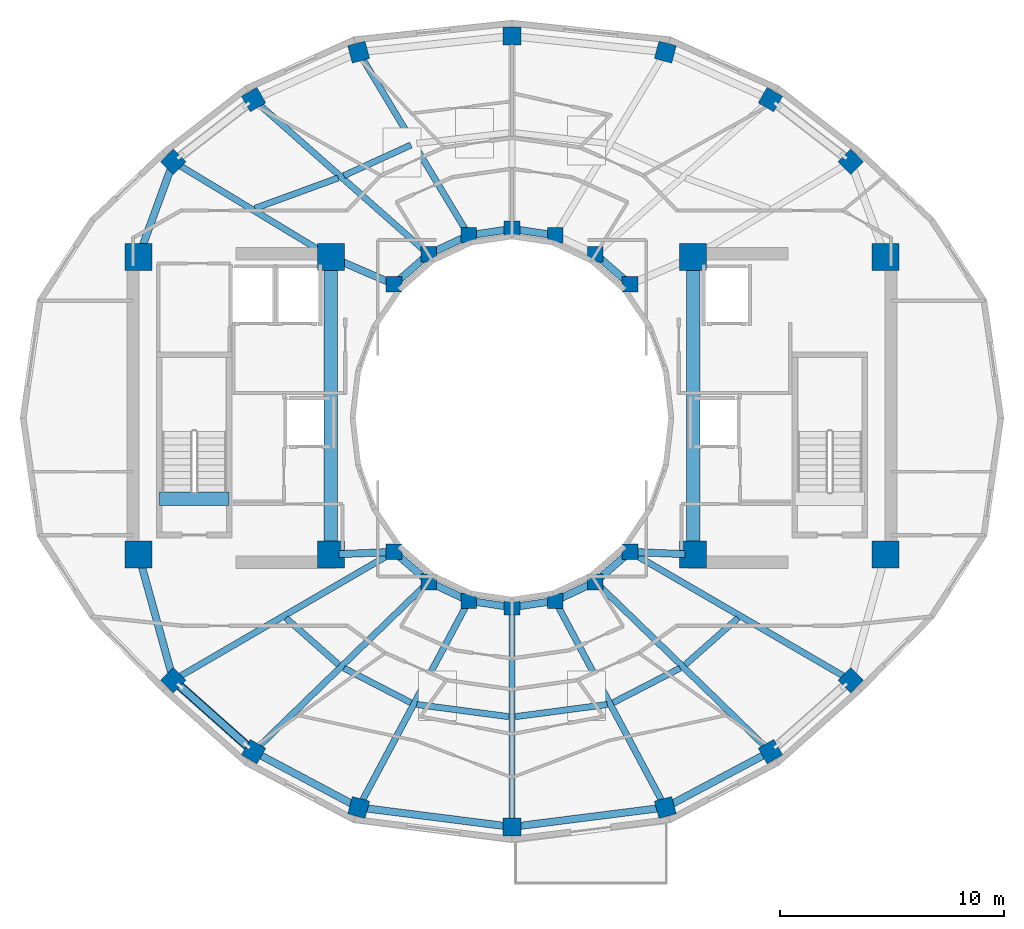
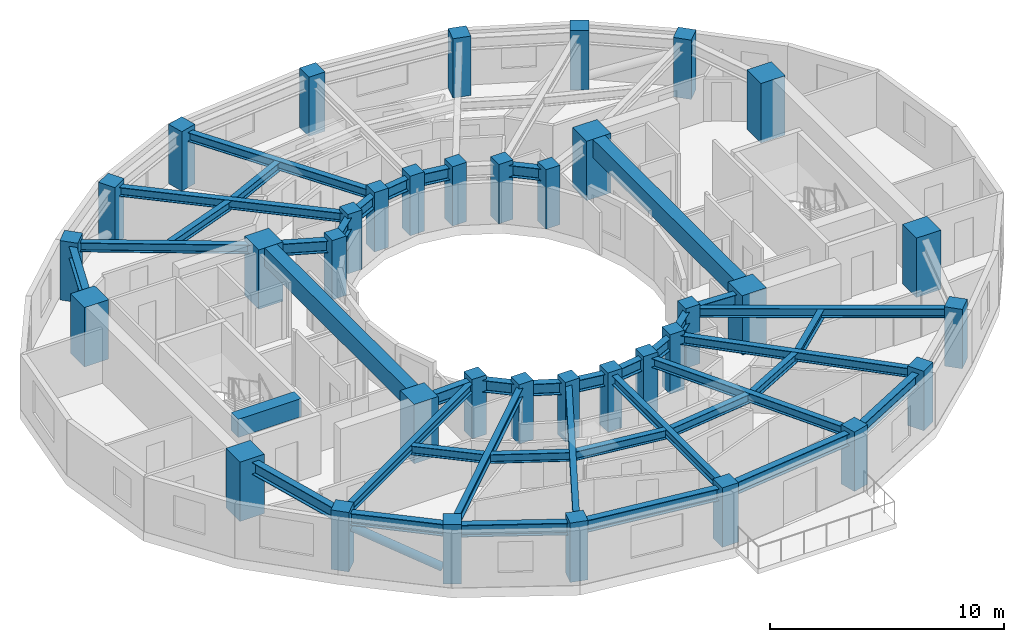
# One storey, part 1 of 9: 42 beams, 36 columns, 1 member.
"""IFC4 building model written with IfcOpenShell, lengths in metres."""

from ifc_helpers import new_model, si_unit, direction, frame, origin, origin_2d, place, context, subcontext, project, spatial, rectangle, hollow_circle, i_section, extrude, material, material_profile, profile_set, type_object, element, save


model = new_model("IFC4")

# Units and contexts
model_context = context("Model", 3, precision=1e-05, world=origin(), true_north=direction((0.0, 1.0)))
body_context = subcontext(model_context, "Body", "Model", "MODEL_VIEW")
ifc_project = project(units=[si_unit("LENGTHUNIT", "METRE"), si_unit("AREAUNIT", "SQUARE_METRE"), si_unit("VOLUMEUNIT", "CUBIC_METRE"), si_unit("PLANEANGLEUNIT", "RADIAN"), si_unit("MASSUNIT", "GRAM", prefix="KILO")], contexts=[model_context])

# Site, building, storey
site_placement = place(None, origin())
site = spatial("IfcSite", under=ifc_project, at=site_placement, CompositionType="ELEMENT")
building_placement = place(site_placement, origin())
building = spatial("IfcBuilding", under=site, at=building_placement, Name="Solvane Sanctuary Tower", CompositionType="ELEMENT")
storey_placement = place(building_placement, frame((0.0, 0.0, 220.199951171875)))
storey = spatial("IfcBuildingStorey", under=building, at=storey_placement, Name="L67", CompositionType="ELEMENT", Elevation=220.199951171875)

# Columns
ifc_material_1 = material(Name="Concrete C50/60", Category="concrete")
ifc_material_profile_1 = material_profile(ifc_material_1, rectangle(XDim=0.699951171875, YDim=0.699951171875, at=origin_2d()), Name="RC700X700")
ifc_profile_set_1 = profile_set([ifc_material_profile_1], Name="Concrete C50/60")
column_type_1 = type_object("IfcColumnType", Name="Column C-RING-Z4 RC700X700", PredefinedType="COLUMN", material=ifc_profile_set_1)
for number, where, z_axis, x_axis, name in (
    (1, (37.27490234375, 28.982177734375, 0.0), (0.0, 0.0, 1.0), (1.0, 0.0, 0.0), "L67 Inner Light-Well Ring Column IC01"),
    (2, (35.72998046875, 30.32666015625, 0.0), (0.0, 0.0, 1.0), (1.0, 0.0, 0.0), "L67 Inner Light-Well Ring Column IC02"),
    (3, (33.930908203125, 31.171630859375, 0.0), (0.0, 0.0, 1.0), (1.0, 0.0, 0.0), "L67 Inner Light-Well Ring Column IC03"),
    (4, (32.0, 31.4599609375, 0.0), (0.0, 0.0, 1.0), (1.0, 0.0, 0.0), "L67 Inner Light-Well Ring Column IC04"),
    (5, (30.069091796875, 31.171630859375, 0.0), (0.0, 0.0, 1.0), (1.0, 0.0, 0.0), "L67 Inner Light-Well Ring Column IC05"),
    (6, (28.27001953125, 30.32666015625, 0.0), (0.0, 0.0, 1.0), (1.0, 0.0, 0.0), "L67 Inner Light-Well Ring Column IC06"),
    (7, (26.72509765625, 28.982177734375, 0.0), (0.0, 0.0, 1.0), (1.0, 0.0, 0.0), "L67 Inner Light-Well Ring Column IC07"),
    (8, (26.72509765625, 17.017822265625, 0.0), (0.0, 0.0, 1.0), (1.0, 0.0, 0.0), "L67 Inner Light-Well Ring Column IC08"),
    (9, (28.27001953125, 15.67333984375, 0.0), (0.0, 0.0, 1.0), (1.0, 0.0, 0.0), "L67 Inner Light-Well Ring Column IC09"),
    (10, (30.069091796875, 14.828369140625, 0.0), (0.0, 0.0, 1.0), (1.0, 0.0, 0.0), "L67 Inner Light-Well Ring Column IC10"),
    (11, (32.0, 14.5400390625, 0.0), (0.0, 0.0, 1.0), (1.0, 0.0, 0.0), "L67 Inner Light-Well Ring Column IC11"),
    (12, (33.930908203125, 14.828369140625, 0.0), (0.0, 0.0, 1.0), (1.0, 0.0, 0.0), "L67 Inner Light-Well Ring Column IC12"),
    (13, (35.72998046875, 15.67333984375, 0.0), (0.0, 0.0, 1.0), (1.0, 0.0, 0.0), "L67 Inner Light-Well Ring Column IC13"),
    (14, (37.27490234375, 17.017822265625, 0.0), (0.0, 0.0, 1.0), (1.0, 0.0, 0.0), "L67 Inner Light-Well Ring Column IC14"),
):
    element("IfcColumn", number, at=place(storey_placement, frame(where, z_axis=z_axis, x_axis=x_axis)), inside=storey, type_object=column_type_1, Name=name, PredefinedType="COLUMN", context=body_context, shape_type="SweptSolid", body=[
        extrude(rectangle(XDim=0.699951171875, YDim=0.699951171875, at=origin_2d()), origin(), (0.0, 0.0, 1.0), 3.10009765625),
    ])
ifc_material_2 = material(Name="Concrete C70/85", Category="concrete")
ifc_material_profile_2 = material_profile(ifc_material_2, rectangle(XDim=1.199951171875, YDim=1.199951171875, at=origin_2d()), Name="RC1200X1200")
ifc_profile_set_2 = profile_set([ifc_material_profile_2], Name="Concrete C70/85")
column_type_2 = type_object("IfcColumnType", Name="Column C-TUBE-Z1 RC1200X1200", PredefinedType="COLUMN", material=ifc_profile_set_2)
for number, where, z_axis, x_axis, name in (
    (15, (15.300048828125, 16.89990234375, 0.0), (0.0, 0.0, 1.0), (1.0, 0.0, 0.0), "L67 Core Corner Column CW1"),
    (16, (23.89990234375, 16.89990234375, 0.0), (0.0, 0.0, 1.0), (1.0, 0.0, 0.0), "L67 Core Corner Column CW2"),
    (17, (23.89990234375, 30.199951171875, 0.0), (0.0, 0.0, 1.0), (1.0, 0.0, 0.0), "L67 Core Corner Column CW3"),
    (18, (15.300048828125, 30.199951171875, 0.0), (0.0, 0.0, 1.0), (1.0, 0.0, 0.0), "L67 Core Corner Column CW4"),
    (19, (40.10009765625, 16.89990234375, 0.0), (0.0, 0.0, 1.0), (1.0, 0.0, 0.0), "L67 Core Corner Column CE1"),
    (20, (48.699951171875, 16.89990234375, 0.0), (0.0, 0.0, 1.0), (1.0, 0.0, 0.0), "L67 Core Corner Column CE2"),
    (21, (48.699951171875, 30.199951171875, 0.0), (0.0, 0.0, 1.0), (1.0, 0.0, 0.0), "L67 Core Corner Column CE3"),
    (22, (40.10009765625, 30.199951171875, 0.0), (0.0, 0.0, 1.0), (1.0, 0.0, 0.0), "L67 Core Corner Column CE4"),
):
    element("IfcColumn", number, at=place(storey_placement, frame(where, z_axis=z_axis, x_axis=x_axis)), inside=storey, type_object=column_type_2, Name=name, PredefinedType="COLUMN", context=body_context, shape_type="SweptSolid", body=[
        extrude(rectangle(XDim=1.199951171875, YDim=1.199951171875, at=origin_2d()), origin(), (0.0, 0.0, 1.0), 3.10009765625),
    ])
ifc_material_profile_3 = material_profile(ifc_material_1, rectangle(XDim=0.800048828125, YDim=0.800048828125, at=origin_2d()), Name="RC800X800")
ifc_profile_set_3 = profile_set([ifc_material_profile_3], Name="Concrete C50/60")
column_type_3 = type_object("IfcColumnType", Name="Column C-TUBE-Z4 RC800X800", PredefinedType="COLUMN", material=ifc_profile_set_3)
for number, where, z_axis, x_axis, name in (
    (23, (47.14501953125, 34.461669921875, 0.0), (0.0, 0.0, 1.0), (0.707106781187, 0.707106781187, 0.0), "L67 Perimeter Tube Column TC01"),
    (24, (43.55517578125, 37.241455078125, 0.0), (0.0, 0.0, 1.0), (0.5, 0.866025403784, 0.0), "L67 Perimeter Tube Column TC02"),
    (25, (38.856201171875, 39.3623046875, 0.0), (0.0, 0.0, 1.0), (0.258819045103, 0.965925826289, 0.0), "L67 Perimeter Tube Column TC03"),
    (26, (32.0, 40.080078125, 0.0), (0.0, 0.0, 1.0), (0.0, 1.0, 0.0), "L67 Perimeter Tube Column TC04"),
    (27, (25.143798828125, 39.3623046875, 0.0), (0.0, 0.0, 1.0), (-0.258819045103, 0.965925826289, 0.0), "L67 Perimeter Tube Column TC05"),
    (28, (20.44482421875, 37.241455078125, 0.0), (0.0, 0.0, 1.0), (-0.5, 0.866025403784, 0.0), "L67 Perimeter Tube Column TC06"),
    (29, (16.85498046875, 34.461669921875, 0.0), (0.0, 0.0, 1.0), (-0.707106781187, 0.707106781187, 0.0), "L67 Perimeter Tube Column TC07"),
    (30, (16.85498046875, 11.279052734375, 0.0), (0.0, 0.0, 1.0), (-0.707106781187, -0.707106781187, 0.0), "L67 Perimeter Tube Column TC08"),
    (31, (20.44482421875, 8.086181640625, 0.0), (0.0, 0.0, 1.0), (-0.5, -0.866025403784, 0.0), "L67 Perimeter Tube Column TC09"),
    (32, (25.143798828125, 5.588623046875, 0.0), (0.0, 0.0, 1.0), (-0.258819045103, -0.965925826289, 0.0), "L67 Perimeter Tube Column TC10"),
    (33, (32.0, 4.719970703125, 0.0), (0.0, 0.0, 1.0), (0.0, -1.0, 0.0), "L67 Perimeter Tube Column TC11"),
    (34, (38.856201171875, 5.588623046875, 0.0), (0.0, 0.0, 1.0), (0.258819045103, -0.965925826289, 0.0), "L67 Perimeter Tube Column TC12"),
    (35, (43.55517578125, 8.086181640625, 0.0), (0.0, 0.0, 1.0), (0.5, -0.866025403784, 0.0), "L67 Perimeter Tube Column TC13"),
    (36, (47.14501953125, 11.279052734375, 0.0), (0.0, 0.0, 1.0), (0.707106781187, -0.707106781187, 0.0), "L67 Perimeter Tube Column TC14"),
):
    element("IfcColumn", number, at=place(storey_placement, frame(where, z_axis=z_axis, x_axis=x_axis)), inside=storey, type_object=column_type_3, Name=name, PredefinedType="COLUMN", context=body_context, shape_type="SweptSolid", body=[
        extrude(rectangle(XDim=0.800048828125, YDim=0.800048828125, at=origin_2d()), origin(), (0.0, 0.0, 1.0), 3.10009765625),
    ])

# Beams
ifc_material_profile_4 = material_profile(ifc_material_2, rectangle(XDim=0.60009765625, YDim=0.949951171875, at=origin_2d()), Name="RC600X950")
ifc_profile_set_4 = profile_set([ifc_material_profile_4], Name="Concrete C70/85")
beam_type_1 = type_object("IfcBeamType", Name="Beam B-COUPLE RC600X950", PredefinedType="LINTEL", material=ifc_profile_set_4)
for number, where, z_axis, x_axis, name in (
    (37, (23.89990234375, 17.35009765625, 2.625), (0.0, 1.0, 0.0), (-1.0, 0.0, 0.0), "L67 West Core Coupling Lintel"),
    (38, (40.10009765625, 17.35009765625, 2.625), (0.0, 1.0, 0.0), (-1.0, 0.0, 0.0), "L67 East Core Coupling Lintel"),
):
    element("IfcBeam", number, at=place(storey_placement, frame(where, z_axis=z_axis, x_axis=x_axis)), inside=storey, type_object=beam_type_1, Name=name, PredefinedType="LINTEL", context=body_context, shape_type="SweptSolid", body=[
        extrude(rectangle(XDim=0.60009765625, YDim=0.949951171875, at=origin_2d()), origin(), (0.0, 0.0, 1.0), 12.39990234375),
    ])
beam_1_placement = place(storey_placement, frame((16.22998046875, 19.399169921875, 2.625), z_axis=(1.0, 0.0, 0.0), x_axis=(0.0, 1.0, 0.0)))
element("IfcBeam", 39, at=beam_1_placement, inside=storey, type_object=beam_type_1, Name="L67 ST-1 Stair Floor Landing Trimmer", PredefinedType="LINTEL", context=body_context, shape_type="SweptSolid", body=[
    extrude(rectangle(XDim=0.60009765625, YDim=0.949951171875, at=origin_2d()), origin(), (0.0, 0.0, 1.0), 3.1201171875),
])
ifc_material_3 = material(Name="Steel ASTM A992 Grade 50", Category="steel")
ifc_material_profile_5 = material_profile(ifc_material_3, i_section(OverallWidth=0.282958984375, OverallDepth=0.471923828125, WebThickness=0.013671875, FlangeThickness=0.022216796875, FilletRadius=0.013916015625, at=origin_2d()), Name="W18X97")
ifc_profile_set_5 = profile_set([ifc_material_profile_5], Name="Steel ASTM A992 Grade 50")
beam_type_2 = type_object("IfcBeamType", Name="Beam B-RAD-Z4 W18X97", PredefinedType="JOIST", material=ifc_profile_set_5)
beam_2_placement = place(storey_placement, frame((29.9248046875, 31.41162109375, 2.64208984375), z_axis=(-0.515337473432, 0.85698733274, 0.0), x_axis=(-0.85698733274, -0.515337473432, 0.0)))
element("IfcBeam", 40, at=beam_2_placement, inside=storey, type_object=beam_type_2, Name="L67 Radial Composite Floor Beam 05", PredefinedType="JOIST", context=body_context, shape_type="SweptSolid", body=[
    extrude(i_section(OverallWidth=0.282958984375, OverallDepth=0.471923828125, WebThickness=0.013671875, FlangeThickness=0.022216796875, FilletRadius=0.013916015625, at=origin_2d()), origin(), (0.0, 0.0, 1.0), 8.99755859375),
])
beam_3_placement = place(storey_placement, frame((28.060302734375, 30.511962890625, 2.64208984375), z_axis=(-0.749352461353, 0.662171343886, 0.0), x_axis=(-0.662171343886, -0.749352461353, 0.0)))
element("IfcBeam", 41, at=beam_3_placement, inside=storey, type_object=beam_type_2, Name="L67 Radial Composite Floor Beam 06", PredefinedType="JOIST", context=body_context, shape_type="SweptSolid", body=[
    extrude(i_section(OverallWidth=0.282958984375, OverallDepth=0.471923828125, WebThickness=0.013671875, FlangeThickness=0.022216796875, FilletRadius=0.013916015625, at=origin_2d()), origin(), (0.0, 0.0, 1.0), 9.882568359375),
])
beam_4_placement = place(storey_placement, frame((23.592041015625, 30.38623046875, 2.64208984375), z_axis=(-0.855612120123, 0.517617522789, 0.0), x_axis=(-0.517617522789, -0.855612120123, 0.0)))
element("IfcBeam", 42, at=beam_4_placement, inside=storey, type_object=beam_type_2, Name="L67 Radial Composite Floor Beam 07", PredefinedType="JOIST", context=body_context, shape_type="SweptSolid", body=[
    extrude(i_section(OverallWidth=0.282958984375, OverallDepth=0.471923828125, WebThickness=0.013671875, FlangeThickness=0.022216796875, FilletRadius=0.013916015625, at=origin_2d()), origin(), (0.0, 0.0, 1.0), 7.59375),
])
beam_5_placement = place(storey_placement, frame((26.48291015625, 16.877197265625, 2.64208984375), z_axis=(-0.864489234729, -0.502651333469, 0.0), x_axis=(0.502651333469, -0.864489234729, 0.0)))
element("IfcBeam", 43, at=beam_5_placement, inside=storey, type_object=beam_type_2, Name="L67 Radial Composite Floor Beam 08", PredefinedType="JOIST", context=body_context, shape_type="SweptSolid", body=[
    extrude(i_section(OverallWidth=0.282958984375, OverallDepth=0.471923828125, WebThickness=0.013671875, FlangeThickness=0.022216796875, FilletRadius=0.013916015625, at=origin_2d()), origin(), (0.0, 0.0, 1.0), 10.85693359375),
])
beam_6_placement = place(storey_placement, frame((28.069091796875, 15.478515625, 2.64208984375), z_axis=(-0.717931503288, -0.69611375262, 0.0), x_axis=(0.69611375262, -0.717931503288, 0.0)))
element("IfcBeam", 44, at=beam_6_placement, inside=storey, type_object=beam_type_2, Name="L67 Radial Composite Floor Beam 09", PredefinedType="JOIST", context=body_context, shape_type="SweptSolid", body=[
    extrude(i_section(OverallWidth=0.282958984375, OverallDepth=0.471923828125, WebThickness=0.013671875, FlangeThickness=0.022216796875, FilletRadius=0.013916015625, at=origin_2d()), origin(), (0.0, 0.0, 1.0), 10.339599609375),
])
beam_7_placement = place(storey_placement, frame((29.9375, 14.581298828125, 2.64208984375), z_axis=(-0.470395154587, -0.882455890422, 0.0), x_axis=(0.882455890422, -0.470395154587, 0.0)))
element("IfcBeam", 45, at=beam_7_placement, inside=storey, type_object=beam_type_2, Name="L67 Radial Composite Floor Beam 10", PredefinedType="JOIST", context=body_context, shape_type="SweptSolid", body=[
    extrude(i_section(OverallWidth=0.282958984375, OverallDepth=0.471923828125, WebThickness=0.013671875, FlangeThickness=0.022216796875, FilletRadius=0.013916015625, at=origin_2d()), origin(), (0.0, 0.0, 1.0), 9.91064453125),
])
beam_8_placement = place(storey_placement, frame((32.0, 14.260009765625, 2.64208984375), z_axis=(0.0, -1.0, 0.0), x_axis=(1.0, 0.0, 0.0)))
element("IfcBeam", 46, at=beam_8_placement, inside=storey, type_object=beam_type_2, Name="L67 Radial Composite Floor Beam 11", PredefinedType="JOIST", context=body_context, shape_type="SweptSolid", body=[
    extrude(i_section(OverallWidth=0.282958984375, OverallDepth=0.471923828125, WebThickness=0.013671875, FlangeThickness=0.022216796875, FilletRadius=0.013916015625, at=origin_2d()), origin(), (0.0, 0.0, 1.0), 9.260009765625),
])
beam_9_placement = place(storey_placement, frame((34.0625, 14.581298828125, 2.64208984375), z_axis=(0.470395154587, -0.882455890422, 0.0), x_axis=(0.882455890422, 0.470395154587, 0.0)))
element("IfcBeam", 47, at=beam_9_placement, inside=storey, type_object=beam_type_2, Name="L67 Radial Composite Floor Beam 12", PredefinedType="JOIST", context=body_context, shape_type="SweptSolid", body=[
    extrude(i_section(OverallWidth=0.282958984375, OverallDepth=0.471923828125, WebThickness=0.013671875, FlangeThickness=0.022216796875, FilletRadius=0.013916015625, at=origin_2d()), origin(), (0.0, 0.0, 1.0), 9.91064453125),
])
beam_10_placement = place(storey_placement, frame((35.930908203125, 15.478515625, 2.64208984375), z_axis=(0.717931503288, -0.69611375262, 0.0), x_axis=(0.69611375262, 0.717931503288, 0.0)))
element("IfcBeam", 48, at=beam_10_placement, inside=storey, type_object=beam_type_2, Name="L67 Radial Composite Floor Beam 13", PredefinedType="JOIST", context=body_context, shape_type="SweptSolid", body=[
    extrude(i_section(OverallWidth=0.282958984375, OverallDepth=0.471923828125, WebThickness=0.013671875, FlangeThickness=0.022216796875, FilletRadius=0.013916015625, at=origin_2d()), origin(), (0.0, 0.0, 1.0), 10.339599609375),
])
beam_11_placement = place(storey_placement, frame((37.51708984375, 16.877197265625, 2.64208984375), z_axis=(0.864489234729, -0.502651333469, 0.0), x_axis=(0.502651333469, 0.864489234729, 0.0)))
element("IfcBeam", 49, at=beam_11_placement, inside=storey, type_object=beam_type_2, Name="L67 Radial Composite Floor Beam 14", PredefinedType="JOIST", context=body_context, shape_type="SweptSolid", body=[
    extrude(i_section(OverallWidth=0.282958984375, OverallDepth=0.471923828125, WebThickness=0.013671875, FlangeThickness=0.022216796875, FilletRadius=0.013916015625, at=origin_2d()), origin(), (0.0, 0.0, 1.0), 10.85693359375),
])
ifc_material_profile_6 = material_profile(ifc_material_3, i_section(OverallWidth=0.324951171875, OverallDepth=0.615966796875, WebThickness=0.013916015625, FlangeThickness=0.021484375, FilletRadius=0.01611328125, at=origin_2d()), Name="W24X117")
ifc_profile_set_6 = profile_set([ifc_material_profile_6], Name="Steel ASTM A992 Grade 50")
beam_type_3 = type_object("IfcBeamType", Name="Beam B-RING-IN2 W24X117", PredefinedType="BEAM", material=ifc_profile_set_6)
beam_12_placement = place(storey_placement, frame((24.230712890625, 30.0576171875, 2.570068359375), z_axis=(0.918283854026, -0.395922673554, 0.0), x_axis=(0.395922673554, 0.918283854026, 0.0)))
element("IfcBeam", 50, at=beam_12_placement, inside=storey, type_object=beam_type_3, Name="L67 Inner Light-Well Ring Beam CW3-IC07", PredefinedType="BEAM", context=body_context, shape_type="SweptSolid", body=[
    extrude(i_section(OverallWidth=0.324951171875, OverallDepth=0.615966796875, WebThickness=0.013916015625, FlangeThickness=0.021484375, FilletRadius=0.01611328125, at=origin_2d()), origin(), (0.0, 0.0, 1.0), 2.396240234375),
])
beam_13_placement = place(storey_placement, frame((26.96630859375, 29.192138671875, 2.570068359375), z_axis=(0.754388985763, 0.656427648839, 0.0), x_axis=(-0.656427648839, 0.754388985763, 0.0)))
element("IfcBeam", 51, at=beam_13_placement, inside=storey, type_object=beam_type_3, Name="L67 Inner Light-Well Ring Beam IC07-IC06", PredefinedType="BEAM", context=body_context, shape_type="SweptSolid", body=[
    extrude(i_section(OverallWidth=0.324951171875, OverallDepth=0.615966796875, WebThickness=0.013916015625, FlangeThickness=0.021484375, FilletRadius=0.01611328125, at=origin_2d()), origin(), (0.0, 0.0, 1.0), 1.408203125),
])
beam_14_placement = place(storey_placement, frame((28.5595703125, 30.462646484375, 2.570068359375), z_axis=(0.905134542189, 0.425125229241, 0.0), x_axis=(-0.425125229241, 0.905134542189, 0.0)))
element("IfcBeam", 52, at=beam_14_placement, inside=storey, type_object=beam_type_3, Name="L67 Inner Light-Well Ring Beam IC06-IC05", PredefinedType="BEAM", context=body_context, shape_type="SweptSolid", body=[
    extrude(i_section(OverallWidth=0.324951171875, OverallDepth=0.615966796875, WebThickness=0.013916015625, FlangeThickness=0.021484375, FilletRadius=0.01611328125, at=origin_2d()), origin(), (0.0, 0.0, 1.0), 1.347900390625),
])
for number, where, z_axis, x_axis, name in (
    (53, (30.3857421875, 31.218994140625, 2.570068359375), (0.989056121481, 0.147539786368, 0.0), (-0.147539786368, 0.989056121481, 0.0), "L67 Inner Light-Well Ring Beam IC05-IC04"),
    (54, (32.31640625, 31.41259765625, 2.570068359375), (0.989056121481, -0.147539786368, 0.0), (0.147539786368, 0.989056121481, 0.0), "L67 Inner Light-Well Ring Beam IC04-IC03"),
):
    element("IfcBeam", number, at=place(storey_placement, frame(where, z_axis=z_axis, x_axis=x_axis)), inside=storey, type_object=beam_type_3, Name=name, PredefinedType="BEAM", context=body_context, shape_type="SweptSolid", body=[
        extrude(i_section(OverallWidth=0.324951171875, OverallDepth=0.615966796875, WebThickness=0.013916015625, FlangeThickness=0.021484375, FilletRadius=0.01611328125, at=origin_2d()), origin(), (0.0, 0.0, 1.0), 1.312255859375),
    ])
beam_15_placement = place(storey_placement, frame((35.971435546875, 30.116455078125, 2.570068359375), z_axis=(0.754388985763, -0.656427648839, 0.0), x_axis=(0.656427648839, 0.754388985763, 0.0)))
element("IfcBeam", 55, at=beam_15_placement, inside=storey, type_object=beam_type_3, Name="L67 Inner Light-Well Ring Beam IC02-IC01", PredefinedType="BEAM", context=body_context, shape_type="SweptSolid", body=[
    extrude(i_section(OverallWidth=0.324951171875, OverallDepth=0.615966796875, WebThickness=0.013916015625, FlangeThickness=0.021484375, FilletRadius=0.01611328125, at=origin_2d()), origin(), (0.0, 0.0, 1.0), 1.408203125),
])
beam_16_placement = place(storey_placement, frame((24.259765625, 16.9150390625, 2.570068359375), z_axis=(0.999129127803, 0.041725124022, 0.0), x_axis=(-0.041725124022, 0.999129127803, 0.0)))
element("IfcBeam", 56, at=beam_16_placement, inside=storey, type_object=beam_type_3, Name="L67 Inner Light-Well Ring Beam CW2-IC08", PredefinedType="BEAM", context=body_context, shape_type="SweptSolid", body=[
    extrude(i_section(OverallWidth=0.324951171875, OverallDepth=0.615966796875, WebThickness=0.013916015625, FlangeThickness=0.021484375, FilletRadius=0.01611328125, at=origin_2d()), origin(), (0.0, 0.0, 1.0), 2.1474609375),
])
beam_17_placement = place(storey_placement, frame((26.96630859375, 16.807861328125, 2.570068359375), z_axis=(0.754388985763, -0.656427648839, 0.0), x_axis=(0.656427648839, 0.754388985763, 0.0)))
element("IfcBeam", 57, at=beam_17_placement, inside=storey, type_object=beam_type_3, Name="L67 Inner Light-Well Ring Beam IC08-IC09", PredefinedType="BEAM", context=body_context, shape_type="SweptSolid", body=[
    extrude(i_section(OverallWidth=0.324951171875, OverallDepth=0.615966796875, WebThickness=0.013916015625, FlangeThickness=0.021484375, FilletRadius=0.01611328125, at=origin_2d()), origin(), (0.0, 0.0, 1.0), 1.408203125),
])
beam_18_placement = place(storey_placement, frame((28.5595703125, 15.537353515625, 2.570068359375), z_axis=(0.905134542189, -0.425125229241, 0.0), x_axis=(0.425125229241, 0.905134542189, 0.0)))
element("IfcBeam", 58, at=beam_18_placement, inside=storey, type_object=beam_type_3, Name="L67 Inner Light-Well Ring Beam IC09-IC10", PredefinedType="BEAM", context=body_context, shape_type="SweptSolid", body=[
    extrude(i_section(OverallWidth=0.324951171875, OverallDepth=0.615966796875, WebThickness=0.013916015625, FlangeThickness=0.021484375, FilletRadius=0.01611328125, at=origin_2d()), origin(), (0.0, 0.0, 1.0), 1.347900390625),
])
for number, where, z_axis, x_axis, name in (
    (59, (30.3857421875, 14.781005859375, 2.570068359375), (0.989056121481, -0.147539786368, 0.0), (0.147539786368, 0.989056121481, 0.0), "L67 Inner Light-Well Ring Beam IC10-IC11"),
    (60, (32.31640625, 14.58740234375, 2.570068359375), (0.989056121481, 0.147539786368, 0.0), (-0.147539786368, 0.989056121481, 0.0), "L67 Inner Light-Well Ring Beam IC11-IC12"),
):
    element("IfcBeam", number, at=place(storey_placement, frame(where, z_axis=z_axis, x_axis=x_axis)), inside=storey, type_object=beam_type_3, Name=name, PredefinedType="BEAM", context=body_context, shape_type="SweptSolid", body=[
        extrude(i_section(OverallWidth=0.324951171875, OverallDepth=0.615966796875, WebThickness=0.013916015625, FlangeThickness=0.021484375, FilletRadius=0.01611328125, at=origin_2d()), origin(), (0.0, 0.0, 1.0), 1.312255859375),
    ])
beam_19_placement = place(storey_placement, frame((34.220458984375, 14.96435546875, 2.570068359375), z_axis=(0.905134542189, 0.425125229241, 0.0), x_axis=(-0.425125229241, 0.905134542189, 0.0)))
element("IfcBeam", 61, at=beam_19_placement, inside=storey, type_object=beam_type_3, Name="L67 Inner Light-Well Ring Beam IC12-IC13", PredefinedType="BEAM", context=body_context, shape_type="SweptSolid", body=[
    extrude(i_section(OverallWidth=0.324951171875, OverallDepth=0.615966796875, WebThickness=0.013916015625, FlangeThickness=0.021484375, FilletRadius=0.01611328125, at=origin_2d()), origin(), (0.0, 0.0, 1.0), 1.347900390625),
])
beam_20_placement = place(storey_placement, frame((35.971435546875, 15.883544921875, 2.570068359375), z_axis=(0.754388985763, 0.656427648839, 0.0), x_axis=(-0.656427648839, 0.754388985763, 0.0)))
element("IfcBeam", 62, at=beam_20_placement, inside=storey, type_object=beam_type_3, Name="L67 Inner Light-Well Ring Beam IC13-IC14", PredefinedType="BEAM", context=body_context, shape_type="SweptSolid", body=[
    extrude(i_section(OverallWidth=0.324951171875, OverallDepth=0.615966796875, WebThickness=0.013916015625, FlangeThickness=0.021484375, FilletRadius=0.01611328125, at=origin_2d()), origin(), (0.0, 0.0, 1.0), 1.408203125),
])
beam_21_placement = place(storey_placement, frame((37.5947265625, 17.004638671875, 2.570068359375), z_axis=(0.999129127803, -0.041725124022, 0.0), x_axis=(0.041725124022, 0.999129127803, 0.0)))
element("IfcBeam", 63, at=beam_21_placement, inside=storey, type_object=beam_type_3, Name="L67 Inner Light-Well Ring Beam IC14-CE1", PredefinedType="BEAM", context=body_context, shape_type="SweptSolid", body=[
    extrude(i_section(OverallWidth=0.324951171875, OverallDepth=0.615966796875, WebThickness=0.013916015625, FlangeThickness=0.021484375, FilletRadius=0.01611328125, at=origin_2d()), origin(), (0.0, 0.0, 1.0), 2.1474609375),
])
ifc_material_profile_7 = material_profile(ifc_material_3, i_section(OverallWidth=0.280029296875, OverallDepth=0.462890625, WebThickness=0.0107421875, FlangeThickness=0.017333984375, FilletRadius=0.013916015625, at=origin_2d()), Name="W18X76")
ifc_profile_set_7 = profile_set([ifc_material_profile_7], Name="Steel ASTM A992 Grade 50")
beam_type_4 = type_object("IfcBeamType", Name="Beam B-SEC-JOIST W18X76", PredefinedType="JOIST", material=ifc_profile_set_7)
beam_22_placement = place(storey_placement, frame((20.505615234375, 32.377685546875, 2.646484375), z_axis=(0.939341257695, 0.342983966962, 0.0), x_axis=(-0.342983966962, 0.939341257695, 0.0)))
element("IfcBeam", 64, at=beam_22_placement, inside=storey, type_object=beam_type_4, Name="L67 Secondary Circumferential Joist 07-06", PredefinedType="JOIST", context=body_context, shape_type="SweptSolid", body=[
    extrude(i_section(OverallWidth=0.280029296875, OverallDepth=0.462890625, WebThickness=0.0107421875, FlangeThickness=0.017333984375, FilletRadius=0.013916015625, at=origin_2d()), origin(), (0.0, 0.0, 1.0), 3.964111328125),
])
beam_23_placement = place(storey_placement, frame((24.481689453125, 33.8408203125, 2.646484375), z_axis=(0.909746959611, 0.415163184156, 0.0), x_axis=(-0.415163184156, 0.909746959611, 0.0)))
element("IfcBeam", 65, at=beam_23_placement, inside=storey, type_object=beam_type_4, Name="L67 Secondary Circumferential Joist 06-05", PredefinedType="JOIST", context=body_context, shape_type="SweptSolid", body=[
    extrude(i_section(OverallWidth=0.280029296875, OverallDepth=0.462890625, WebThickness=0.0107421875, FlangeThickness=0.017333984375, FilletRadius=0.013916015625, at=origin_2d()), origin(), (0.0, 0.0, 1.0), 3.29833984375),
])
beam_24_placement = place(storey_placement, frame((21.892333984375, 14.05810546875, 2.646484375), z_axis=(0.749354102876, -0.662169486236, 0.0), x_axis=(0.662169486236, 0.749354102876, 0.0)))
element("IfcBeam", 66, at=beam_24_placement, inside=storey, type_object=beam_type_4, Name="L67 Secondary Circumferential Joist 08-09", PredefinedType="JOIST", context=body_context, shape_type="SweptSolid", body=[
    extrude(i_section(OverallWidth=0.280029296875, OverallDepth=0.462890625, WebThickness=0.0107421875, FlangeThickness=0.017333984375, FilletRadius=0.013916015625, at=origin_2d()), origin(), (0.0, 0.0, 1.0), 3.153076171875),
])
beam_25_placement = place(storey_placement, frame((24.47900390625, 11.8173828125, 2.646484375), z_axis=(0.88924080122, -0.4574393921, 0.0), x_axis=(0.4574393921, 0.88924080122, 0.0)))
element("IfcBeam", 67, at=beam_25_placement, inside=storey, type_object=beam_type_4, Name="L67 Secondary Circumferential Joist 09-10", PredefinedType="JOIST", context=body_context, shape_type="SweptSolid", body=[
    extrude(i_section(OverallWidth=0.280029296875, OverallDepth=0.462890625, WebThickness=0.0107421875, FlangeThickness=0.017333984375, FilletRadius=0.013916015625, at=origin_2d()), origin(), (0.0, 0.0, 1.0), 3.380615234375),
])
for number, where, z_axis, x_axis, name in (
    (68, (27.74169921875, 10.190673828125, 2.646484375), (0.991439902559, -0.130563852634, 0.0), (0.130563852634, 0.991439902559, 0.0), "L67 Secondary Circumferential Joist 10-11"),
    (69, (32.13525390625, 9.647705078125, 2.646484375), (0.991439902559, 0.130563852634, 0.0), (-0.130563852634, 0.991439902559, 0.0), "L67 Secondary Circumferential Joist 11-12"),
):
    element("IfcBeam", number, at=place(storey_placement, frame(where, z_axis=z_axis, x_axis=x_axis)), inside=storey, type_object=beam_type_4, Name=name, PredefinedType="JOIST", context=body_context, shape_type="SweptSolid", body=[
        extrude(i_section(OverallWidth=0.280029296875, OverallDepth=0.462890625, WebThickness=0.0107421875, FlangeThickness=0.017333984375, FilletRadius=0.013916015625, at=origin_2d()), origin(), (0.0, 0.0, 1.0), 4.15869140625),
    ])
beam_26_placement = place(storey_placement, frame((36.514892578125, 10.27099609375, 2.646484375), z_axis=(0.88924080122, 0.4574393921, 0.0), x_axis=(-0.4574393921, 0.88924080122, 0.0)))
element("IfcBeam", 70, at=beam_26_placement, inside=storey, type_object=beam_type_4, Name="L67 Secondary Circumferential Joist 12-13", PredefinedType="JOIST", context=body_context, shape_type="SweptSolid", body=[
    extrude(i_section(OverallWidth=0.280029296875, OverallDepth=0.462890625, WebThickness=0.0107421875, FlangeThickness=0.017333984375, FilletRadius=0.013916015625, at=origin_2d()), origin(), (0.0, 0.0, 1.0), 3.380615234375),
])
beam_27_placement = place(storey_placement, frame((39.744873046875, 11.97021484375, 2.646484375), z_axis=(0.749354102876, 0.662169486236, 0.0), x_axis=(-0.662169486236, 0.749354102876, 0.0)))
element("IfcBeam", 71, at=beam_27_placement, inside=storey, type_object=beam_type_4, Name="L67 Secondary Circumferential Joist 13-14", PredefinedType="JOIST", context=body_context, shape_type="SweptSolid", body=[
    extrude(i_section(OverallWidth=0.280029296875, OverallDepth=0.462890625, WebThickness=0.0107421875, FlangeThickness=0.017333984375, FilletRadius=0.013916015625, at=origin_2d()), origin(), (0.0, 0.0, 1.0), 3.153076171875),
])
ifc_material_profile_8 = material_profile(ifc_material_3, i_section(OverallWidth=0.327880859375, OverallDepth=0.6279296875, WebThickness=0.0166015625, FlangeThickness=0.027587890625, FilletRadius=0.01611328125, at=origin_2d()), Name="W24X146")
ifc_profile_set_8 = profile_set([ifc_material_profile_8], Name="Steel ASTM A992 Grade 50")
beam_type_5 = type_object("IfcBeamType", Name="Beam B-SPAND-Z3 W24X146", PredefinedType="SPANDREL", material=ifc_profile_set_8)
beam_28_placement = place(storey_placement, frame((15.39599609375, 30.462890625, 2.56396484375), z_axis=(0.34275337431, 0.939425422478, 0.0), x_axis=(-0.939425422478, 0.34275337431, 0.0)))
element("IfcBeam", 72, at=beam_28_placement, inside=storey, type_object=beam_type_5, Name="L67 Perimeter Spandrel Beam CW4-TC07", PredefinedType="SPANDREL", context=body_context, shape_type="SweptSolid", body=[
    extrude(i_section(OverallWidth=0.327880859375, OverallDepth=0.6279296875, WebThickness=0.0166015625, FlangeThickness=0.027587890625, FilletRadius=0.01611328125, at=origin_2d()), origin(), (0.0, 0.0, 1.0), 3.976806640625),
])
beam_29_placement = place(storey_placement, frame((15.374755859375, 16.630126953125, 2.56396484375), z_axis=(0.266650123869, -0.963793396658, 0.0), x_axis=(0.963793396658, 0.266650123869, 0.0)))
element("IfcBeam", 73, at=beam_29_placement, inside=storey, type_object=beam_type_5, Name="L67 Perimeter Spandrel Beam CW1-TC08", PredefinedType="SPANDREL", context=body_context, shape_type="SweptSolid", body=[
    extrude(i_section(OverallWidth=0.327880859375, OverallDepth=0.6279296875, WebThickness=0.0166015625, FlangeThickness=0.027587890625, FilletRadius=0.01611328125, at=origin_2d()), origin(), (0.0, 0.0, 1.0), 5.27197265625),
])
beam_30_placement = place(storey_placement, frame((17.064208984375, 11.093017578125, 2.56396484375), z_axis=(0.747199825189, -0.664599444205, 0.0), x_axis=(0.664599444205, 0.747199825189, 0.0)))
element("IfcBeam", 74, at=beam_30_placement, inside=storey, type_object=beam_type_5, Name="L67 Perimeter Spandrel Beam TC08-TC09", PredefinedType="SPANDREL", context=body_context, shape_type="SweptSolid", body=[
    extrude(i_section(OverallWidth=0.327880859375, OverallDepth=0.6279296875, WebThickness=0.0166015625, FlangeThickness=0.027587890625, FilletRadius=0.01611328125, at=origin_2d()), origin(), (0.0, 0.0, 1.0), 4.244384765625),
])
beam_31_placement = place(storey_placement, frame((20.692138671875, 7.954833984375, 2.56396484375), z_axis=(0.883034715026, -0.46930767313, 0.0), x_axis=(0.46930767313, 0.883034715026, 0.0)))
element("IfcBeam", 75, at=beam_31_placement, inside=storey, type_object=beam_type_5, Name="L67 Perimeter Spandrel Beam TC09-TC10", PredefinedType="SPANDREL", context=body_context, shape_type="SweptSolid", body=[
    extrude(i_section(OverallWidth=0.327880859375, OverallDepth=0.6279296875, WebThickness=0.0166015625, FlangeThickness=0.027587890625, FilletRadius=0.01611328125, at=origin_2d()), origin(), (0.0, 0.0, 1.0), 4.761474609375),
])
for number, where, z_axis, x_axis, name in (
    (76, (25.421630859375, 5.553466796875, 2.56396484375), (0.99206770258, -0.125704707538, 0.0), (0.125704707538, 0.99206770258, 0.0), "L67 Perimeter Spandrel Beam TC10-TC11"),
    (77, (32.27783203125, 4.755126953125, 2.56396484375), (0.99206770258, 0.125704707538, 0.0), (-0.125704707538, 0.99206770258, 0.0), "L67 Perimeter Spandrel Beam TC11-TC12"),
):
    element("IfcBeam", number, at=place(storey_placement, frame(where, z_axis=z_axis, x_axis=x_axis)), inside=storey, type_object=beam_type_5, Name=name, PredefinedType="SPANDREL", context=body_context, shape_type="SweptSolid", body=[
        extrude(i_section(OverallWidth=0.327880859375, OverallDepth=0.6279296875, WebThickness=0.0166015625, FlangeThickness=0.027587890625, FilletRadius=0.01611328125, at=origin_2d()), origin(), (0.0, 0.0, 1.0), 6.350830078125),
    ])
beam_32_placement = place(storey_placement, frame((39.103271484375, 5.72021484375, 2.56396484375), z_axis=(0.883034715026, 0.46930767313, 0.0), x_axis=(-0.46930767313, 0.883034715026, 0.0)))
element("IfcBeam", 78, at=beam_32_placement, inside=storey, type_object=beam_type_5, Name="L67 Perimeter Spandrel Beam TC12-TC13", PredefinedType="SPANDREL", context=body_context, shape_type="SweptSolid", body=[
    extrude(i_section(OverallWidth=0.327880859375, OverallDepth=0.6279296875, WebThickness=0.0166015625, FlangeThickness=0.027587890625, FilletRadius=0.01611328125, at=origin_2d()), origin(), (0.0, 0.0, 1.0), 4.761474609375),
])

# Member
ifc_material_profile_9 = material_profile(ifc_material_3, hollow_circle(Radius=0.202880859375, WallThickness=0.012451171875, at=origin_2d()), Name="CHS406X12.5")
ifc_profile_set_9 = profile_set([ifc_material_profile_9], Name="Steel ASTM A992 Grade 50")
member_type = type_object("IfcMemberType", Name="Member M-TUBE-Z3 CHS406X12.5", PredefinedType="BRACE", material=ifc_profile_set_9)
member_placement = place(storey_placement, frame((20.1328125, 8.36376953125, 0.542724609375), z_axis=(-0.696313085915, 0.619358188581, 0.362689289368), x_axis=(-0.664611503375, -0.747189098945, 0.0)))
element("IfcMember", 79, at=member_placement, inside=storey, type_object=member_type, Name="L67 Perimeter Braced-Tube Diagonal SW", PredefinedType="BRACE", context=body_context, shape_type="SweptSolid", body=[
    extrude(hollow_circle(Radius=0.202880859375, WallThickness=0.012451171875, at=origin_2d()), origin(), (0.0, 0.0, 1.0), 4.26708984375),
])

save(model, "model.ifc")
